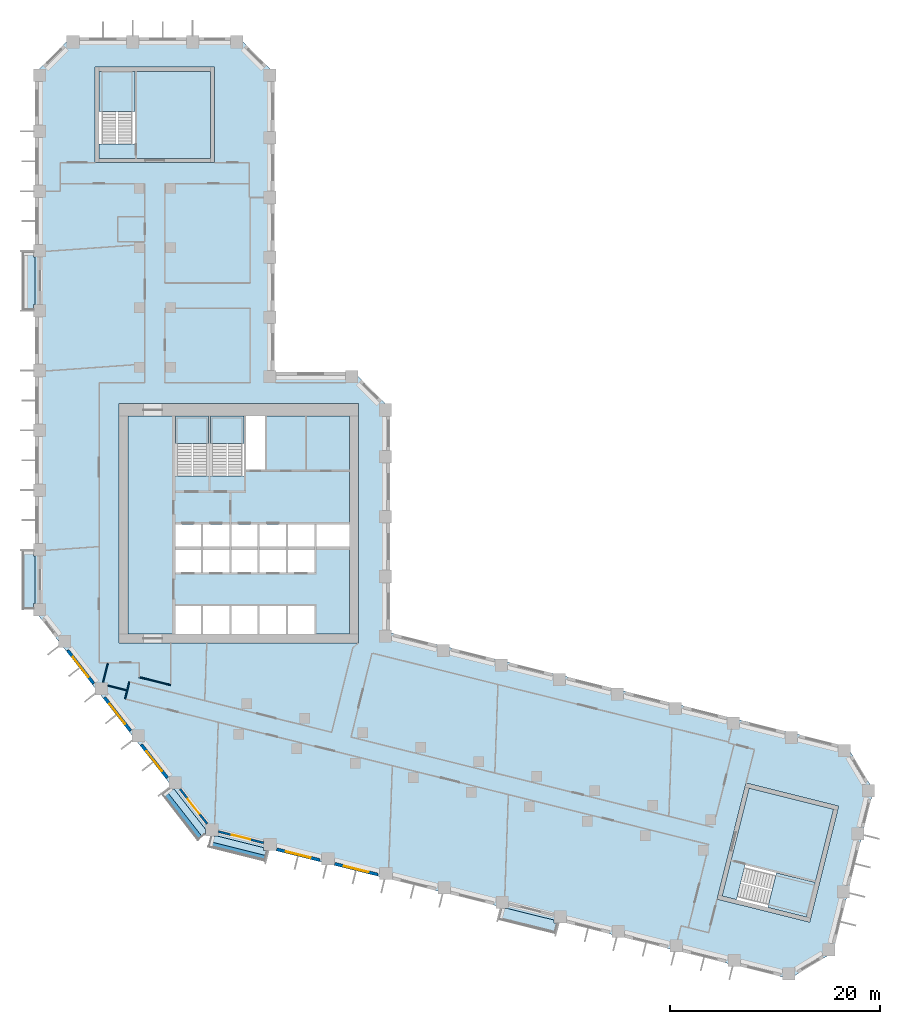
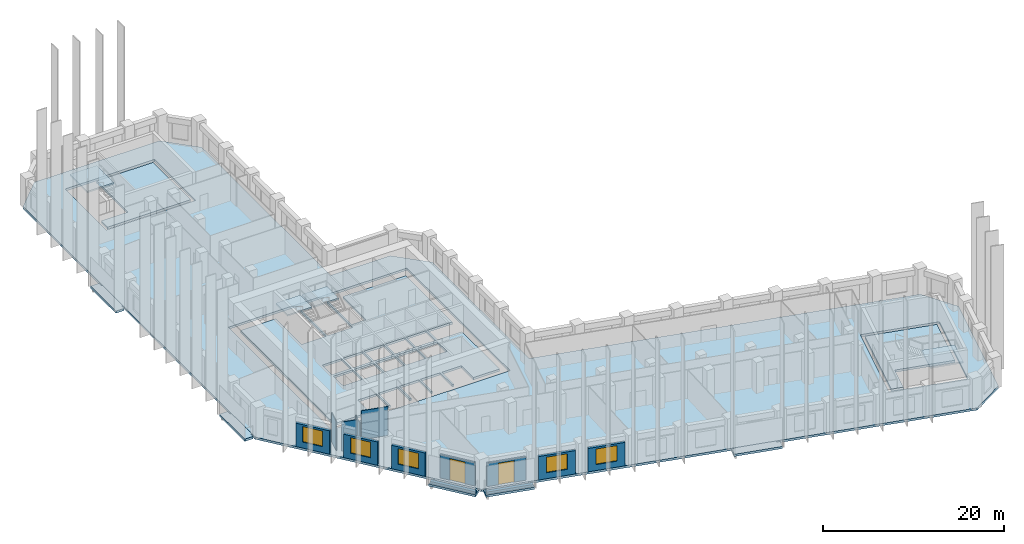
# One storey, part 2 of 10: 13 slabs, 13 walls, 5 windows, 2 doors, 7 openings, 4 elements without a shape of their own.
"""IFC4 building model written with IfcOpenShell, lengths in metres."""

from ifc_helpers import new_model, si_unit, direction, frame, frame_2d, origin, place, context, subcontext, project, spatial, polyline, rectangle, outline, extrude, material, layer, layer_set, type_object, element, fill, aggregate, save


model = new_model("IFC4")

# Units and contexts
model_context = context("Model", 3, precision=1e-05, world=origin(), true_north=direction((0.0, 1.0)))
body_context = subcontext(model_context, "Body", "Model", "MODEL_VIEW")
ifc_project = project(units=[si_unit("LENGTHUNIT", "METRE"), si_unit("AREAUNIT", "SQUARE_METRE"), si_unit("VOLUMEUNIT", "CUBIC_METRE"), si_unit("PLANEANGLEUNIT", "RADIAN"), si_unit("MASSUNIT", "GRAM", prefix="KILO")], contexts=[model_context])

# Site, building, storey
site_placement = place(None, origin())
site = spatial("IfcSite", under=ifc_project, at=site_placement, CompositionType="ELEMENT")
building_placement = place(site_placement, origin())
building = spatial("IfcBuilding", under=site, at=building_placement, Name="Meshkara Civic Tower", CompositionType="ELEMENT")
storey_placement = place(building_placement, frame((0.0, 0.0, 161.39990234375)))
storey = spatial("IfcBuildingStorey", under=building, at=storey_placement, Name="L36", CompositionType="ELEMENT", Elevation=161.39990234375)

# Slabs
ifc_material_1 = material(Name="Concrete C40", Category="concrete")
ifc_layer_1 = layer(ifc_material_1, 0.300048828125)
ifc_layer_set_1 = layer_set([ifc_layer_1], Name="BALCONY SLAB")
slab_type_1 = type_object("IfcSlabType", Name="BALCONY SLAB", PredefinedType="FLOOR", material=ifc_layer_set_1)
slab_1_placement = place(storey_placement, frame((0.0, 0.0, -0.2998046875)))
element("IfcSlab", 1, at=slab_1_placement, inside=storey, type_object=slab_type_1, Name="Balcony slab", PredefinedType="FLOOR", context=body_context, shape_type="SweptSolid", body=[
    extrude(outline(polyline([(-1.199951171875, 45.81494140625), (-1.199951171875, 51.39501953125), (-0.14990234375, 51.39501953125), (-0.14990234375, 50.85498046875), (0.0, 50.85498046875), (0.0, 46.35498046875), (-0.14990234375, 46.35498046875), (-0.14990234375, 45.81494140625), (-1.199951171875, 45.81494140625)])), origin(), (0.0, 0.0, 1.0), 0.2998046875),
])
slab_2_placement = place(storey_placement, frame((0.0, 0.0, -0.2998046875)))
element("IfcSlab", 2, at=slab_2_placement, inside=storey, type_object=slab_type_1, Name="Balcony slab", PredefinedType="FLOOR", context=body_context, shape_type="SweptSolid", body=[
    extrude(outline(polyline([(-1.199951171875, 17.31494140625), (-1.199951171875, 22.89501953125), (-0.14990234375, 22.89501953125), (-0.14990234375, 22.35498046875), (0.0, 22.35498046875), (0.0, 17.85498046875), (-0.14990234375, 17.85498046875), (-0.14990234375, 17.31494140625), (-1.199951171875, 17.31494140625)])), origin(), (0.0, 0.0, 1.0), 0.2998046875),
])
slab_3_placement = place(storey_placement, frame((0.0, 0.0, -0.2998046875)))
element("IfcSlab", 3, at=slab_3_placement, inside=storey, type_object=slab_type_1, Name="Balcony slab", PredefinedType="FLOOR", context=body_context, shape_type="SweptSolid", body=[
    extrude(outline(polyline([(15.513916015625, -4.7060546875), (12.0791015625, -0.30908203125), (12.741943359375, 0.208984375), (12.741943359375, 0.154052734375), (13.239990234375, 0.154052734375), (16.2509765625, -3.700927734375), (16.2509765625, -4.131103515625), (15.513916015625, -4.7060546875)])), origin(), (0.0, 0.0, 1.0), 0.2998046875),
])
slab_4_placement = place(storey_placement, frame((0.0, 0.0, -0.2998046875)))
element("IfcSlab", 4, at=slab_4_placement, inside=storey, type_object=slab_type_1, Name="Balcony slab", PredefinedType="FLOOR", context=body_context, shape_type="SweptSolid", body=[
    extrude(outline(polyline([(21.925048828125, -6.702880859375), (16.510009765625, -5.35302734375), (16.762939453125, -4.337890625), (17.39794921875, -4.337890625), (21.781982421875, -5.430908203125), (21.781982421875, -5.717041015625), (22.1708984375, -5.717041015625), (21.925048828125, -6.702880859375)])), origin(), (0.0, 0.0, 1.0), 0.2998046875),
])
slab_5_placement = place(storey_placement, frame((0.0, 0.0, -0.2998046875)))
element("IfcSlab", 5, at=slab_5_placement, inside=storey, type_object=slab_type_1, Name="Balcony slab", PredefinedType="FLOOR", context=body_context, shape_type="SweptSolid", body=[
    extrude(outline(polyline([(49.577880859375, -13.597900390625), (44.1640625, -12.248046875), (44.4169921875, -11.23193359375), (45.050048828125, -11.23193359375), (49.43505859375, -12.324951171875), (49.43505859375, -12.611083984375), (49.823974609375, -12.611083984375), (49.577880859375, -13.597900390625)])), origin(), (0.0, 0.0, 1.0), 0.2998046875),
])
ifc_material_2 = material(Name="Concrete C40/50", Category="concrete")
ifc_layer_2 = layer(ifc_material_2, 0.300048828125)
ifc_layer_set_2 = layer_set([ifc_layer_2], Name="Core floor slab 300 C40/50")
slab_type_2 = type_object("IfcSlabType", Name="Core floor slab 300 C40/50", PredefinedType="FLOOR", material=ifc_layer_set_2)
slab_6_placement = place(storey_placement, frame((0.0, 0.0, -0.2998046875)))
element("IfcSlab", 6, at=slab_6_placement, inside=storey, type_object=slab_type_2, Name="Core floor K", PredefinedType="FLOOR", context=body_context, shape_type="SweptSolid", body=[
    extrude(outline(polyline([(8.85009765625, 35.699951171875), (13.3701171875, 35.699951171875), (13.3701171875, 30.00146484375), (16.5, 30.00146484375), (16.5, 35.699951171875), (16.699951171875, 35.699951171875), (16.699951171875, 30.00146484375), (19.89990234375, 30.00146484375), (19.89990234375, 35.699951171875), (20.10009765625, 35.699951171875), (20.10009765625, 30.574951171875), (21.925048828125, 30.574951171875), (21.925048828125, 35.699951171875), (29.949951171875, 35.699951171875), (29.949951171875, 25.39990234375), (26.800048828125, 25.39990234375), (26.800048828125, 23.27001953125), (29.949951171875, 23.27001953125), (29.949951171875, 14.949951171875), (26.60009765625, 14.949951171875), (26.60009765625, 17.60009765625), (24.10009765625, 17.60009765625), (24.10009765625, 14.949951171875), (23.89990234375, 14.949951171875), (23.89990234375, 17.60009765625), (21.39990234375, 17.60009765625), (21.39990234375, 14.949951171875), (21.199951171875, 14.949951171875), (21.199951171875, 17.60009765625), (18.699951171875, 17.60009765625), (18.699951171875, 14.949951171875), (18.5, 14.949951171875), (18.5, 17.60009765625), (16.0, 17.60009765625), (16.0, 14.949951171875), (15.800048828125, 14.949951171875), (15.800048828125, 17.60009765625), (13.3701171875, 17.60009765625), (13.3701171875, 14.949951171875), (8.85009765625, 14.949951171875), (8.85009765625, 35.699951171875)]), holes=[polyline([(15.800048828125, 20.800048828125), (15.800048828125, 22.929931640625), (13.3701171875, 22.929931640625), (13.3701171875, 20.800048828125), (15.800048828125, 20.800048828125)]), polyline([(16.0, 22.929931640625), (16.0, 20.800048828125), (18.5, 20.800048828125), (18.5, 22.929931640625), (16.0, 22.929931640625)]), polyline([(18.699951171875, 22.929931640625), (18.699951171875, 20.800048828125), (21.199951171875, 20.800048828125), (21.199951171875, 22.929931640625), (18.699951171875, 22.929931640625)]), polyline([(15.800048828125, 23.27001953125), (15.800048828125, 25.39990234375), (13.3701171875, 25.39990234375), (13.3701171875, 23.27001953125), (15.800048828125, 23.27001953125)]), polyline([(16.0, 25.39990234375), (16.0, 23.27001953125), (18.5, 23.27001953125), (18.5, 25.39990234375), (16.0, 25.39990234375)]), polyline([(21.199951171875, 25.39990234375), (18.699951171875, 25.39990234375), (18.699951171875, 23.27001953125), (21.199951171875, 23.27001953125), (21.199951171875, 25.39990234375)]), polyline([(21.39990234375, 22.929931640625), (21.39990234375, 20.800048828125), (23.89990234375, 20.800048828125), (23.89990234375, 22.929931640625), (21.39990234375, 22.929931640625)]), polyline([(24.10009765625, 20.800048828125), (26.60009765625, 20.800048828125), (26.60009765625, 22.929931640625), (24.10009765625, 22.929931640625), (24.10009765625, 20.800048828125)]), polyline([(21.39990234375, 23.27001953125), (23.89990234375, 23.27001953125), (23.89990234375, 25.39990234375), (21.39990234375, 25.39990234375), (21.39990234375, 23.27001953125)]), polyline([(26.60009765625, 23.27001953125), (26.60009765625, 25.39990234375), (24.10009765625, 25.39990234375), (24.10009765625, 23.27001953125), (26.60009765625, 23.27001953125)])]), origin(), (0.0, 0.0, 1.0), 0.2998046875),
])
slab_7_placement = place(storey_placement, frame((0.0, 0.0, -0.2998046875)))
element("IfcSlab", 7, at=slab_7_placement, inside=storey, type_object=slab_type_2, Name="Core floor EA", PredefinedType="FLOOR", context=body_context, shape_type="SweptSolid", body=[
    extrude(outline(polyline([(16.699951171875, 60.27001953125), (16.699951171875, 68.570068359375), (9.5, 68.570068359375), (9.5, 61.67138671875), (6.10009765625, 61.67138671875), (6.10009765625, 60.27001953125), (16.699951171875, 60.27001953125)])), origin(), (0.0, 0.0, 1.0), 0.2998046875),
])
slab_8_placement = place(storey_placement, frame((0.0, 0.0, -0.2998046875)))
element("IfcSlab", 8, at=slab_8_placement, inside=storey, type_object=slab_type_2, Name="Core floor EB", PredefinedType="FLOOR", context=body_context, shape_type="SweptSolid", body=[
    extrude(outline(polyline([(68.050537109375, 0.244384765625), (76.10400390625, -1.763671875), (74.362060546875, -8.749755859375), (67.66845703125, -7.080810546875), (66.845947265625, -10.3798828125), (65.486083984375, -10.040771484375), (68.050537109375, 0.244384765625)])), origin(), (0.0, 0.0, 1.0), 0.2998046875),
])

# Stair, slab
ifc_material_3 = material(Name="Precast concrete C40/50", Category="concrete")
stair_type = type_object("IfcStairType", Name="Exit stair half-turn 24 risers precast", PredefinedType="HALF_TURN_STAIR", material=ifc_material_3)
stair_1_placement = place(storey_placement, origin())
stair_1 = element("IfcStair", 9, at=stair_1_placement, inside=storey, type_object=stair_type, Name="L36 exit stair 1", PredefinedType="HALF_TURN_STAIR")
ifc_material_4 = material(Name="Precast concrete C40/50", Category="concrete")
ifc_layer_3 = layer(ifc_material_4, 0.199951171875)
ifc_layer_set_3 = layer_set([ifc_layer_3], Name="Exit stair landing 200")
slab_type_3 = type_object("IfcSlabType", Name="Exit stair landing 200", PredefinedType="LANDING", material=ifc_layer_set_3)
slab_9_placement = place(storey_placement, frame((0.0, 0.0, 1.900146484375)))
slab_9 = element("IfcSlab", 10, at=slab_9_placement, type_object=slab_type_3, Name="ST1 landing 1", PredefinedType="LANDING", context=body_context, shape_type="SweptSolid", body=[
    extrude(outline(polyline([(16.5, 33.07861328125), (16.5, 35.699951171875), (13.3701171875, 35.699951171875), (13.3701171875, 33.07861328125), (16.5, 33.07861328125)])), origin(), (0.0, 0.0, 1.0), 0.199951171875),
])
aggregate(stair_1, [slab_9])

stair_2_placement = place(storey_placement, origin())
stair_2 = element("IfcStair", 11, at=stair_2_placement, inside=storey, type_object=stair_type, Name="L36 exit stair 2", PredefinedType="HALF_TURN_STAIR")
slab_10_placement = place(storey_placement, frame((0.0, 0.0, 1.900146484375)))
slab_10 = element("IfcSlab", 12, at=slab_10_placement, type_object=slab_type_3, Name="ST2 landing 1", PredefinedType="LANDING", context=body_context, shape_type="SweptSolid", body=[
    extrude(outline(polyline([(19.89990234375, 33.07861328125), (19.89990234375, 35.699951171875), (16.699951171875, 35.699951171875), (16.699951171875, 33.07861328125), (19.89990234375, 33.07861328125)])), origin(), (0.0, 0.0, 1.0), 0.199951171875),
])
aggregate(stair_2, [slab_10])

stair_3_placement = place(storey_placement, origin())
stair_3 = element("IfcStair", 13, at=stair_3_placement, inside=storey, type_object=stair_type, Name="L36 exit stair A from L35", PredefinedType="HALF_TURN_STAIR")
slab_11_placement = place(storey_placement, frame((0.0, 0.0, 1.900146484375)))
slab_11 = element("IfcSlab", 14, at=slab_11_placement, type_object=slab_type_3, Name="ESA3 landing 1", PredefinedType="LANDING", context=body_context, shape_type="SweptSolid", body=[
    extrude(outline(polyline([(9.5, 64.74853515625), (9.5, 68.570068359375), (6.10009765625, 68.570068359375), (6.10009765625, 64.74853515625), (9.5, 64.74853515625)])), origin(), (0.0, 0.0, 1.0), 0.199951171875),
])
aggregate(stair_3, [slab_11])

stair_4_placement = place(storey_placement, origin())
stair_4 = element("IfcStair", 15, at=stair_4_placement, inside=storey, type_object=stair_type, Name="L36 exit stair B from L35", PredefinedType="HALF_TURN_STAIR")
slab_12_placement = place(storey_placement, frame((0.0, 0.0, 1.900146484375)))
slab_12 = element("IfcSlab", 16, at=slab_12_placement, type_object=slab_type_3, Name="ESB3 landing 1", PredefinedType="LANDING", context=body_context, shape_type="SweptSolid", body=[
    extrude(outline(polyline([(69.831298828125, -11.124755859375), (73.5400390625, -12.049072265625), (74.3623046875, -8.7490234375), (70.653564453125, -7.82470703125), (69.831298828125, -11.124755859375)])), origin(), (0.0, 0.0, 1.0), 0.199951171875),
])
aggregate(stair_4, [slab_12])

# Slab
ifc_material_5 = material(Name="Concrete C50", Category="concrete")
ifc_layer_4 = layer(ifc_material_5, 0.300048828125)
ifc_layer_set_4 = layer_set([ifc_layer_4], Name="Post-tensioned flat slab 300 C50")
slab_type_4 = type_object("IfcSlabType", Name="Post-tensioned flat slab 300 C50", PredefinedType="FLOOR", material=ifc_layer_set_4)
slab_13_placement = place(storey_placement, frame((0.0, 0.0, -0.2998046875)))
element("IfcSlab", 17, at=slab_13_placement, inside=storey, type_object=slab_type_4, Name="Post-tensioned flat slab L36", PredefinedType="FLOOR", context=body_context, shape_type="SweptSolid", body=[
    extrude(outline(polyline([(76.044921875, -15.43505859375), (71.89892578125, -17.926025390625), (16.592041015625, -4.136962890625), (0.0, 17.10009765625), (0.0, 68.39990234375), (3.419921875, 71.820068359375), (19.3798828125, 71.820068359375), (22.800048828125, 68.39990234375), (22.800048828125, 39.89990234375), (30.3798828125, 39.89990234375), (33.800048828125, 36.47998046875), (33.800048828125, 15.071044921875), (77.4150390625, 4.196044921875), (79.906005859375, 0.051025390625), (76.044921875, -15.43505859375)]), holes=[polyline([(73.8310546875, -12.533935546875), (76.589111328125, -1.471923828125), (67.759033203125, 0.72900390625), (65.0009765625, -10.33203125), (73.8310546875, -12.533935546875)]), polyline([(8.0, 14.10009765625), (30.800048828125, 14.10009765625), (30.800048828125, 36.89990234375), (8.0, 36.89990234375), (8.0, 14.10009765625)]), polyline([(5.699951171875, 68.969970703125), (5.699951171875, 59.8701171875), (17.10009765625, 59.8701171875), (17.10009765625, 68.969970703125), (5.699951171875, 68.969970703125)])]), origin(), (0.0, 0.0, 1.0), 0.2998046875),
])

# Walls
ifc_material_6 = material(Name="Corridor wall 100")
ifc_layer_5 = layer(ifc_material_6, 0.10009765625)
ifc_layer_set_5 = layer_set([ifc_layer_5], Name="Corridor wall 100")
wall_type_1 = type_object("IfcWallType", Name="Corridor wall 100", PredefinedType="PARTITIONING", material=ifc_layer_set_5)
wall_1_placement = place(storey_placement, frame((8.972900390625, 10.382080078125, 0.0), z_axis=(0.0, 0.0, 1.0), x_axis=(-0.241650823739, -0.970363271866, 0.0)))
element("IfcWall", 18, at=wall_1_placement, inside=storey, type_object=wall_type_1, Name="L36-W008", PredefinedType="PARTITIONING", context=body_context, shape_type="SweptSolid", body=[
    extrude(rectangle(XDim=1.688232421875, YDim=0.10009765625, at=frame_2d((0.84423828125, 0.0))), origin(), (0.0, 0.0, 1.0), 3.900146484375),
])
wall_2_placement = place(storey_placement, frame((9.89990234375, 10.825927734375, 0.0), z_axis=(0.0, 0.0, 1.0), x_axis=(0.970290953223, -0.241941038466, 0.0)))
element("IfcWall", 19, at=wall_2_placement, inside=storey, type_object=wall_type_1, Name="L36-W009", PredefinedType="PARTITIONING", context=body_context, shape_type="SweptSolid", body=[
    extrude(rectangle(XDim=3.091796875, YDim=0.10009765625, at=frame_2d((1.5458984375, 0.0))), origin(), (0.0, 0.0, 1.0), 3.900146484375),
])

# Wall, opening, window
ifc_material_7 = material(Name="Insulated infill panel with bronze anodised aluminium cladding", Category="aluminium")
ifc_layer_6 = layer(ifc_material_7, 0.300048828125)
ifc_layer_set_6 = layer_set([ifc_layer_6], Name="EXTERNAL INFILL WALL 300")
wall_type_2 = type_object("IfcWallType", Name="EXTERNAL INFILL WALL 300", PredefinedType="SOLIDWALL", material=ifc_layer_set_6)
wall_3_placement = place(storey_placement, frame((3.095947265625, 13.381103515625, 0.0), z_axis=(0.0, 0.0, 1.0), x_axis=(0.615563820493, -0.78808704018, 0.0)))
wall_3 = element("IfcWall", 20, at=wall_3_placement, inside=storey, type_object=wall_type_2, Name="External wall", PredefinedType="SOLIDWALL", context=body_context, shape_type="SweptSolid", body=[
    extrude(rectangle(XDim=4.01611328125, YDim=0.300048828125, at=frame_2d((2.008056640625, 0.0))), origin(), (0.0, 0.0, 1.0), 3.150146484375),
])
opening_1_placement = place(wall_3_placement, frame((0.80810546875, 0.0, 0.800048828125)))
opening_1 = element("IfcOpeningElement", 21, at=opening_1_placement, cuts=wall_3, Name="Opening W7", PredefinedType="OPENING", context=body_context, shape_type="SweptSolid", body=[
    extrude(rectangle(XDim=2.39990234375, YDim=2.10009765625, at=frame_2d((1.199951171875, 1.050048828125))), frame((0.0, 0.159912109375, 0.0), z_axis=(0.0, -1.0, 0.0), x_axis=(1.0, 0.0, 0.0)), (0.0, 0.0, 1.0), 0.320068359375),
])
ifc_material_8 = material(Name="Tinted double glazing", Category="glass")
window_type = type_object("IfcWindowType", Name="WINDOW 2400x2100", PartitioningType="DOUBLE_PANEL_VERTICAL", PredefinedType="WINDOW", material=ifc_material_8)
window_1_placement = place(opening_1_placement, origin())
window_1 = element("IfcWindow", 22, at=window_1_placement, inside=storey, type_object=window_type, Name="Window", OverallHeight=2.10009765625, OverallWidth=2.39990234375, PartitioningType="DOUBLE_PANEL_VERTICAL", PredefinedType="WINDOW", context=body_context, shape_type="SweptSolid", body=[
    extrude(rectangle(XDim=2.39990234375, YDim=2.10009765625, at=frame_2d((1.199951171875, 1.050048828125))), frame((0.0, 0.030029296875, 0.0), z_axis=(0.0, -1.0, 0.0), x_axis=(1.0, 0.0, 0.0)), (0.0, 0.0, 1.0), 0.06005859375),
])
fill(opening_1, window_1)

wall_4_placement = place(storey_placement, frame((6.60498046875, 8.888916015625, 0.0), z_axis=(0.0, 0.0, 1.0), x_axis=(0.615706559089, -0.787975528233, 0.0)))
wall_4 = element("IfcWall", 23, at=wall_4_placement, inside=storey, type_object=wall_type_2, Name="External wall", PredefinedType="SOLIDWALL", context=body_context, shape_type="SweptSolid", body=[
    extrude(rectangle(XDim=4.016357421875, YDim=0.300048828125, at=frame_2d((2.00830078125, 0.0))), origin(), (0.0, 0.0, 1.0), 3.150146484375),
])
opening_2_placement = place(wall_4_placement, frame((0.80810546875, 0.0, 0.800048828125)))
opening_2 = element("IfcOpeningElement", 24, at=opening_2_placement, cuts=wall_4, Name="Opening W7", PredefinedType="OPENING", context=body_context, shape_type="SweptSolid", body=[
    extrude(rectangle(XDim=2.39990234375, YDim=2.10009765625, at=frame_2d((1.199951171875, 1.050048828125))), frame((0.0, 0.159912109375, 0.0), z_axis=(0.0, -1.0, 0.0), x_axis=(1.0, 0.0, 0.0)), (0.0, 0.0, 1.0), 0.320068359375),
])
window_2_placement = place(opening_2_placement, origin())
window_2 = element("IfcWindow", 25, at=window_2_placement, inside=storey, type_object=window_type, Name="Window", OverallHeight=2.10009765625, OverallWidth=2.39990234375, PartitioningType="DOUBLE_PANEL_VERTICAL", PredefinedType="WINDOW", context=body_context, shape_type="SweptSolid", body=[
    extrude(rectangle(XDim=2.39990234375, YDim=2.10009765625, at=frame_2d((1.199951171875, 1.050048828125))), frame((0.0, 0.030029296875, 0.0), z_axis=(0.0, -1.0, 0.0), x_axis=(1.0, 0.0, 0.0)), (0.0, 0.0, 1.0), 0.06005859375),
])
fill(opening_2, window_2)

wall_5_placement = place(storey_placement, frame((10.114990234375, 4.39697265625, 0.0), z_axis=(0.0, 0.0, 1.0), x_axis=(0.615644041972, -0.788024373725, 0.0)))
wall_5 = element("IfcWall", 26, at=wall_5_placement, inside=storey, type_object=wall_type_2, Name="External wall", PredefinedType="SOLIDWALL", context=body_context, shape_type="SweptSolid", body=[
    extrude(rectangle(XDim=4.01513671875, YDim=0.300048828125, at=frame_2d((2.007568359375, 0.0))), origin(), (0.0, 0.0, 1.0), 3.150146484375),
])
opening_3_placement = place(wall_5_placement, frame((0.806884765625, 0.0, 0.800048828125)))
opening_3 = element("IfcOpeningElement", 27, at=opening_3_placement, cuts=wall_5, Name="Opening W7", PredefinedType="OPENING", context=body_context, shape_type="SweptSolid", body=[
    extrude(rectangle(XDim=2.39990234375, YDim=2.10009765625, at=frame_2d((1.199951171875, 1.050048828125))), frame((0.0, 0.159912109375, 0.0), z_axis=(0.0, -1.0, 0.0), x_axis=(1.0, 0.0, 0.0)), (0.0, 0.0, 1.0), 0.320068359375),
])
window_3_placement = place(opening_3_placement, origin())
window_3 = element("IfcWindow", 28, at=window_3_placement, inside=storey, type_object=window_type, Name="Window", OverallHeight=2.10009765625, OverallWidth=2.39990234375, PartitioningType="DOUBLE_PANEL_VERTICAL", PredefinedType="WINDOW", context=body_context, shape_type="SweptSolid", body=[
    extrude(rectangle(XDim=2.39990234375, YDim=2.10009765625, at=frame_2d((1.199951171875, 1.050048828125))), frame((0.0, 0.030029296875, 0.0), z_axis=(0.0, -1.0, 0.0), x_axis=(1.0, 0.0, 0.0)), (0.0, 0.0, 1.0), 0.06005859375),
])
fill(opening_3, window_3)

wall_6_placement = place(storey_placement, frame((23.014892578125, -5.583984375, 0.0), z_axis=(0.0, 0.0, 1.0), x_axis=(0.970291164166, -0.241940192487, 0.0)))
wall_6 = element("IfcWall", 29, at=wall_6_placement, inside=storey, type_object=wall_type_2, Name="External wall", PredefinedType="SOLIDWALL", context=body_context, shape_type="SweptSolid", body=[
    extrude(rectangle(XDim=4.245361328125, YDim=0.300048828125, at=frame_2d((2.12255859375, 0.0))), origin(), (0.0, 0.0, 1.0), 3.150146484375),
])
opening_4_placement = place(wall_6_placement, frame((0.922119140625, 0.0, 0.800048828125)))
opening_4 = element("IfcOpeningElement", 30, at=opening_4_placement, cuts=wall_6, Name="Opening W7", PredefinedType="OPENING", context=body_context, shape_type="SweptSolid", body=[
    extrude(rectangle(XDim=2.39990234375, YDim=2.10009765625, at=frame_2d((1.199951171875, 1.050048828125))), frame((0.0, 0.159912109375, 0.0), z_axis=(0.0, -1.0, 0.0), x_axis=(1.0, 0.0, 0.0)), (0.0, 0.0, 1.0), 0.320068359375),
])
window_4_placement = place(opening_4_placement, origin())
window_4 = element("IfcWindow", 31, at=window_4_placement, inside=storey, type_object=window_type, Name="Window", OverallHeight=2.10009765625, OverallWidth=2.39990234375, PartitioningType="DOUBLE_PANEL_VERTICAL", PredefinedType="WINDOW", context=body_context, shape_type="SweptSolid", body=[
    extrude(rectangle(XDim=2.39990234375, YDim=2.10009765625, at=frame_2d((1.199951171875, 1.050048828125))), frame((0.0, 0.030029296875, 0.0), z_axis=(0.0, -1.0, 0.0), x_axis=(1.0, 0.0, 0.0)), (0.0, 0.0, 1.0), 0.06005859375),
])
fill(opening_4, window_4)

wall_7_placement = place(storey_placement, frame((28.544921875, -6.962890625, 0.0), z_axis=(0.0, 0.0, 1.0), x_axis=(0.97030462482, -0.241886202691, 0.0)))
wall_7 = element("IfcWall", 32, at=wall_7_placement, inside=storey, type_object=wall_type_2, Name="External wall", PredefinedType="SOLIDWALL", context=body_context, shape_type="SweptSolid", body=[
    extrude(rectangle(XDim=4.24609375, YDim=0.300048828125, at=frame_2d((2.123046875, 0.0))), origin(), (0.0, 0.0, 1.0), 3.150146484375),
])
opening_5_placement = place(wall_7_placement, frame((0.923095703125, 0.0, 0.800048828125)))
opening_5 = element("IfcOpeningElement", 33, at=opening_5_placement, cuts=wall_7, Name="Opening W7", PredefinedType="OPENING", context=body_context, shape_type="SweptSolid", body=[
    extrude(rectangle(XDim=2.39990234375, YDim=2.10009765625, at=frame_2d((1.199951171875, 1.050048828125))), frame((0.0, 0.159912109375, 0.0), z_axis=(0.0, -1.0, 0.0), x_axis=(1.0, 0.0, 0.0)), (0.0, 0.0, 1.0), 0.320068359375),
])
window_5_placement = place(opening_5_placement, origin())
window_5 = element("IfcWindow", 34, at=window_5_placement, inside=storey, type_object=window_type, Name="Window", OverallHeight=2.10009765625, OverallWidth=2.39990234375, PartitioningType="DOUBLE_PANEL_VERTICAL", PredefinedType="WINDOW", context=body_context, shape_type="SweptSolid", body=[
    extrude(rectangle(XDim=2.39990234375, YDim=2.10009765625, at=frame_2d((1.199951171875, 1.050048828125))), frame((0.0, 0.030029296875, 0.0), z_axis=(0.0, -1.0, 0.0), x_axis=(1.0, 0.0, 0.0)), (0.0, 0.0, 1.0), 0.06005859375),
])
fill(opening_5, window_5)

# Wall, opening, door
ifc_material_9 = material(Name="Insulated infill panel with bronze anodised aluminium cladding", Category="aluminium")
ifc_layer_7 = layer(ifc_material_9, 0.199951171875)
ifc_layer_set_7 = layer_set([ifc_layer_7], Name="LOGGIA BACK WALL 200")
wall_type_3 = type_object("IfcWallType", Name="LOGGIA BACK WALL 200", PredefinedType="SOLIDWALL", material=ifc_layer_set_7)
wall_8_placement = place(storey_placement, frame((13.81103515625, 0.154052734375, 0.0), z_axis=(0.0, 0.0, 1.0), x_axis=(0.615521537177, -0.788120065264, 0.0)))
wall_8 = element("IfcWall", 35, at=wall_8_placement, inside=storey, type_object=wall_type_3, Name="Loggia wall", PredefinedType="SOLIDWALL", context=body_context, shape_type="SweptSolid", body=[
    extrude(rectangle(XDim=4.177001953125, YDim=0.199951171875, at=frame_2d((2.08837890625, 0.0))), origin(), (0.0, 0.0, 1.0), 3.150146484375),
])
opening_6_placement = place(wall_8_placement, frame((1.18798828125, 0.0, 0.0)))
opening_6 = element("IfcOpeningElement", 36, at=opening_6_placement, cuts=wall_8, Name="Opening L36-L003", PredefinedType="OPENING", context=body_context, shape_type="SweptSolid", body=[
    extrude(rectangle(XDim=1.800048828125, YDim=2.89990234375, at=frame_2d((0.89990234375, 1.449951171875))), frame((0.0, 0.10986328125, 0.0), z_axis=(0.0, -1.0, 0.0), x_axis=(1.0, 0.0, 0.0)), (0.0, 0.0, 1.0), 0.219970703125),
])
ifc_material_10 = material(Name="Tinted double glazing", Category="glass")
door_type = type_object("IfcDoorType", Name="LOGGIA DOOR 1800x2900", OperationType="DOUBLE_DOOR_SINGLE_SWING", PredefinedType="DOOR", material=ifc_material_10)
door_1_placement = place(opening_6_placement, origin())
door_1 = element("IfcDoor", 37, at=door_1_placement, inside=storey, type_object=door_type, Name="L36-L003", OperationType="DOUBLE_DOOR_SINGLE_SWING", OverallHeight=2.89990234375, OverallWidth=1.800048828125, PredefinedType="DOOR", context=body_context, shape_type="SweptSolid", body=[
    extrude(rectangle(XDim=1.800048828125, YDim=2.89990234375, at=frame_2d((0.89990234375, 1.449951171875))), frame((0.0, 0.02490234375, 0.0), z_axis=(0.0, -1.0, 0.0), x_axis=(1.0, 0.0, 0.0)), (0.0, 0.0, 1.0), 0.050048828125),
])
fill(opening_6, door_1)

wall_9_placement = place(storey_placement, frame((17.450927734375, -3.887939453125, 0.0), z_axis=(0.0, 0.0, 1.0), x_axis=(0.970335243139, -0.241763346938, 0.0)))
wall_9 = element("IfcWall", 38, at=wall_9_placement, inside=storey, type_object=wall_type_3, Name="Loggia wall", PredefinedType="SOLIDWALL", context=body_context, shape_type="SweptSolid", body=[
    extrude(rectangle(XDim=4.46337890625, YDim=0.199951171875, at=frame_2d((2.231689453125, 0.0))), origin(), (0.0, 0.0, 1.0), 3.150146484375),
])
opening_7_placement = place(wall_9_placement, frame((1.3310546875, 0.0, 0.0)))
opening_7 = element("IfcOpeningElement", 39, at=opening_7_placement, cuts=wall_9, Name="Opening L36-L004", PredefinedType="OPENING", context=body_context, shape_type="SweptSolid", body=[
    extrude(rectangle(XDim=1.800048828125, YDim=2.89990234375, at=frame_2d((0.89990234375, 1.449951171875))), frame((0.0, 0.10986328125, 0.0), z_axis=(0.0, -1.0, 0.0), x_axis=(1.0, 0.0, 0.0)), (0.0, 0.0, 1.0), 0.219970703125),
])
door_2_placement = place(opening_7_placement, origin())
door_2 = element("IfcDoor", 40, at=door_2_placement, inside=storey, type_object=door_type, Name="L36-L004", OperationType="DOUBLE_DOOR_SINGLE_SWING", OverallHeight=2.89990234375, OverallWidth=1.800048828125, PredefinedType="DOOR", context=body_context, shape_type="SweptSolid", body=[
    extrude(rectangle(XDim=1.800048828125, YDim=2.89990234375, at=frame_2d((0.89990234375, 1.449951171875))), frame((0.0, 0.02490234375, 0.0), z_axis=(0.0, -1.0, 0.0), x_axis=(1.0, 0.0, 0.0)), (0.0, 0.0, 1.0), 0.050048828125),
])
fill(opening_7, door_2)

# Walls
ifc_material_11 = material(Name="Concrete C40", Category="concrete")
ifc_layer_8 = layer(ifc_material_11, 0.39990234375)
ifc_layer_set_8 = layer_set([ifc_layer_8], Name="PLANTER TRAY")
wall_type_4 = type_object("IfcWallType", Name="PLANTER TRAY", PredefinedType="SOLIDWALL", material=ifc_layer_set_8)
wall_10_placement = place(storey_placement, frame((12.39794921875, -0.198974609375, 0.0), z_axis=(0.0, 0.0, 1.0), x_axis=(0.615638738903, -0.788028516719, 0.0)))
element("IfcWall", 41, at=wall_10_placement, inside=storey, type_object=wall_type_4, Name="Planter", PredefinedType="SOLIDWALL", context=body_context, shape_type="SweptSolid", body=[
    extrude(rectangle(XDim=5.3603515625, YDim=0.39990234375, at=frame_2d((2.68017578125, 0.0))), origin(), (0.0, 0.0, 1.0), 0.300048828125),
])
wall_11_placement = place(storey_placement, frame((16.694091796875, -5.069091796875, 0.0), z_axis=(0.0, 0.0, 1.0), x_axis=(0.970289679319, -0.241946147329, 0.0)))
element("IfcWall", 42, at=wall_11_placement, inside=storey, type_object=wall_type_4, Name="Planter", PredefinedType="SOLIDWALL", context=body_context, shape_type="SweptSolid", body=[
    extrude(rectangle(XDim=5.360107421875, YDim=0.39990234375, at=frame_2d((2.68017578125, 0.0))), origin(), (0.0, 0.0, 1.0), 0.300048828125),
])
ifc_material_12 = material(Name="Partition 100")
ifc_layer_9 = layer(ifc_material_12, 0.10009765625)
ifc_layer_set_9 = layer_set([ifc_layer_9], Name="Partition 100")
wall_type_5 = type_object("IfcWallType", Name="Partition 100", PredefinedType="PARTITIONING", material=ifc_layer_set_9)
wall_12_placement = place(storey_placement, frame((6.922119140625, 12.137939453125, 0.0), z_axis=(0.0, 0.0, 1.0), x_axis=(-0.242504681353, -0.970150235542, 0.0)))
element("IfcWall", 43, at=wall_12_placement, inside=storey, type_object=wall_type_5, Name="L36-W042", PredefinedType="PARTITIONING", context=body_context, shape_type="SweptSolid", body=[
    extrude(rectangle(XDim=1.8564453125, YDim=0.10009765625, at=frame_2d((0.92822265625, 0.0))), origin(), (0.0, 0.0, 1.0), 3.900146484375),
])
wall_13_placement = place(storey_placement, frame((8.719970703125, 9.573974609375, 0.0), z_axis=(0.0, 0.0, 1.0), x_axis=(-0.97017350799, 0.242411559945, 0.0)))
element("IfcWall", 44, at=wall_13_placement, inside=storey, type_object=wall_type_5, Name="L36-W045", PredefinedType="PARTITIONING", context=body_context, shape_type="SweptSolid", body=[
    extrude(rectangle(XDim=1.85205078125, YDim=0.10009765625, at=frame_2d((0.926025390625, 0.0))), origin(), (0.0, 0.0, 1.0), 3.900146484375),
])

save(model, "model.ifc")
